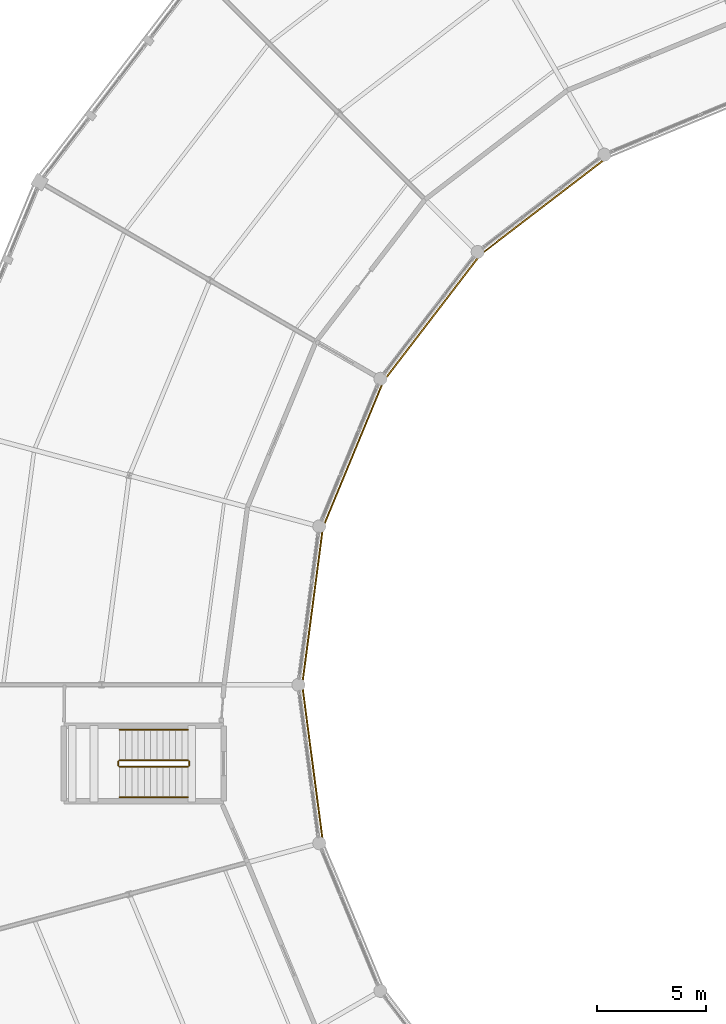
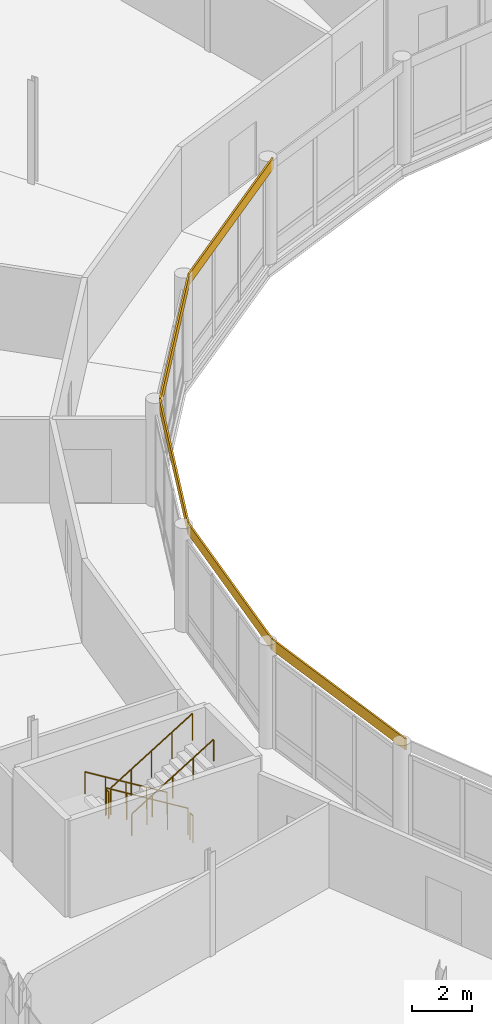
# One storey, part 178 of 185: 6 railings, 5 coverings.
"""IFC4 building model written with IfcOpenShell, lengths in metres."""

import ifcopenshell
import ifcopenshell.guid

model = None  # the IFC model being written
_history = None  # IfcOwnerHistory: only IFC2X3 demands one
_inside = {}  # id of a spatial element -> (the spatial element, [elements in it])
_under = {}  # id of a project, library or spatial element -> (it, [spatial elements below it])
_declared = {}  # id of a project -> (the project, [libraries it declares])
_typed = {}  # id of a type object -> (the type object, [elements of that type])
_made_of = {}  # id of a material, layer set ... -> (it, [elements and type objects made of it])


def new_model(schema):
    """Start an empty IFC model of exactly this schema.

    Asked for "IFC4X3", IfcOpenShell would pick the latest addendum, in which some entities
    have other attributes; the version numbers below select the first issue.
    IFC2X3 requires an IfcOwnerHistory on every rooted entity: one is made here for all.
    """
    global model, _history
    if schema == "IFC4X3":
        model = ifcopenshell.file(schema_version=(4, 3, 0, 0))
    else:
        model = ifcopenshell.file(schema=schema)
    _inside.clear()
    _under.clear()
    _declared.clear()
    _typed.clear()
    _made_of.clear()
    _history = None
    if model.schema == "IFC2X3":
        org = make("IfcOrganization", Name="unknown")
        user = make(
            "IfcPersonAndOrganization",
            ThePerson=make("IfcPerson", FamilyName="unknown"),
            TheOrganization=org,
        )
        app = make(
            "IfcApplication",
            ApplicationDeveloper=org,
            Version="unknown",
            ApplicationFullName="unknown",
            ApplicationIdentifier="unknown",
        )
        _history = make(
            "IfcOwnerHistory",
            OwningUser=user,
            OwningApplication=app,
            ChangeAction="ADDED",
            CreationDate=0,
        )
    return model


def make(cls, **values):
    """One entity of the class cls with the attributes given. An attribute that is None is left unset."""
    return model.create_entity(
        cls, **{name: value for name, value in values.items() if value is not None}
    )


def rooted(cls, **values):
    """An entity with a GlobalId (a new one), such as an element, a storey or a relation."""
    return make(cls, GlobalId=ifcopenshell.guid.new(), OwnerHistory=_history, **values)


def si_unit(unit_type, name, prefix=None):
    """IfcSIUnit, for example si_unit("LENGTHUNIT", "METRE", prefix="MILLI")."""
    return make("IfcSIUnit", UnitType=unit_type, Prefix=prefix, Name=name)


def assignment(units):
    """IfcUnitAssignment: the units of a project."""
    return None if units is None else make("IfcUnitAssignment", Units=units)


def point(xyz):
    """IfcCartesianPoint."""
    return None if xyz is None else make("IfcCartesianPoint", Coordinates=xyz)


def direction(xyz):
    """IfcDirection."""
    return None if xyz is None else make("IfcDirection", DirectionRatios=xyz)


def frame(location, z_axis=None, x_axis=None):
    """IfcAxis2Placement3D, a coordinate frame: its origin and axes. An axis left out is left unset."""
    return make(
        "IfcAxis2Placement3D",
        Location=point(location),
        Axis=direction(z_axis),
        RefDirection=direction(x_axis),
    )


def frame_2d(location, x_axis=None):
    """IfcAxis2Placement2D, a coordinate frame in the plane: its origin and x axis."""
    return make(
        "IfcAxis2Placement2D", Location=point(location), RefDirection=direction(x_axis)
    )


def origin():
    """The frame at (0, 0, 0) with its axes left unset."""
    return frame((0.0, 0.0, 0.0))


def origin_2d():
    """The frame at (0, 0) in the plane with its x axis left unset."""
    return frame_2d((0.0, 0.0))


def place(relative_to, where):
    """IfcLocalPlacement: puts the frame where relative to a parent placement (None: the world)."""
    return make(
        "IfcLocalPlacement", PlacementRelTo=relative_to, RelativePlacement=where
    )


def context(
    kind, dimensions, precision=None, world=None, true_north=None, identifier=None
):
    """IfcGeometricRepresentationContext, for example the 3D "Model" context."""
    return make(
        "IfcGeometricRepresentationContext",
        ContextIdentifier=identifier,
        ContextType=kind,
        CoordinateSpaceDimension=dimensions,
        Precision=precision,
        WorldCoordinateSystem=world,
        TrueNorth=true_north,
    )


def subcontext(parent, identifier, kind, view, scale=None):
    """IfcGeometricRepresentationSubContext, for example "Body" below "Model"."""
    return make(
        "IfcGeometricRepresentationSubContext",
        ContextIdentifier=identifier,
        ContextType=kind,
        ParentContext=parent,
        TargetScale=scale,
        TargetView=view,
    )


def project(units=None, contexts=None):
    """IfcProject with its units and contexts."""
    return rooted(
        "IfcProject",
        Name="project",
        RepresentationContexts=contexts,
        UnitsInContext=assignment(units),
    )


def spatial(cls, under=None, at=None, **own):
    """A site, building, storey or space (cls), placed at a placement, below another one or the project."""
    s = rooted(cls, ObjectPlacement=at, **own)
    if under is not None:
        _under.setdefault(under.id(), (under, []))[1].append(s)
    return s


def profile(cls, at=None, kind="AREA", **sizes):
    """A parametric profile (cls). Its sizes go by their IFC names, for example OverallWidth=200.0."""
    return make(cls, ProfileType=kind, Position=at, **sizes)


def rectangle(**sizes):
    """IfcRectangleProfileDef."""
    return profile("IfcRectangleProfileDef", **sizes)


def circle(**sizes):
    """IfcCircleProfileDef."""
    return profile("IfcCircleProfileDef", **sizes)


def extrude(swept, where, along, depth):
    """IfcExtrudedAreaSolid: the profile swept, set in the frame where, extruded along a direction by depth."""
    return make(
        "IfcExtrudedAreaSolid",
        SweptArea=swept,
        Position=where,
        ExtrudedDirection=direction(along),
        Depth=depth,
    )


def shape(context_of_items, identifier, shape_type, items):
    """IfcShapeRepresentation: the items that make up one representation, for example the "Body"."""
    return make(
        "IfcShapeRepresentation",
        ContextOfItems=context_of_items,
        RepresentationIdentifier=identifier,
        RepresentationType=shape_type,
        Items=items,
    )


def material(Name=None, Category=None):
    """IfcMaterial."""
    return make("IfcMaterial", Name=Name, Category=Category)


def layer(
    of_material, thickness, ventilated=None, Name=None, Category=None, Priority=None
):
    """IfcMaterialLayer: one layer of a wall or slab, of a material (None: an air gap)."""
    return make(
        "IfcMaterialLayer",
        Material=of_material,
        LayerThickness=thickness,
        IsVentilated=ventilated,
        Name=Name,
        Category=Category,
        Priority=Priority,
    )


def layer_set(layers, Name=None):
    """IfcMaterialLayerSet."""
    return make("IfcMaterialLayerSet", MaterialLayers=layers, LayerSetName=Name)


def made_of(thing, what):
    """Note that an element or type object is made of a material, layer set ...; save() writes the relation."""
    if what is not None:
        _made_of.setdefault(what.id(), (what, []))[1].append(thing)
    return thing


def type_object(cls, material=None, **own):
    """A type object (cls), such as IfcWallType, which elements share."""
    return made_of(rooted(cls, **own), material)


def element(
    cls,
    number,
    at=None,
    inside=None,
    cuts=None,
    type_object=None,
    material=None,
    context=None,
    identifier="Body",
    shape_type=None,
    held_by="IfcProductDefinitionShape",
    body=None,
    shapes=None,
    **own,
):
    """One element of the class cls, such as IfcWall. Its Tag is "e" and its number.

    at: its placement. inside: the storey or other place that contains it. cuts: it is an
    opening in that element (IfcRelVoidsElement). A single representation is given by context,
    identifier, shape_type and body (its items); several are given by shapes. held_by: the class
    of the entity that holds the representations. save() writes the other relations.
    """
    e = rooted(cls, Tag="e%d" % number, ObjectPlacement=at, **own)
    if body is not None:
        shapes = [shape(context, identifier, shape_type, body)]
    if shapes is not None:
        e.Representation = make(held_by, Representations=shapes)
    if inside is not None:
        _inside.setdefault(inside.id(), (inside, []))[1].append(e)
    if cuts is not None:
        rooted(
            "IfcRelVoidsElement", RelatingBuildingElement=cuts, RelatedOpeningElement=e
        )
    if type_object is not None:
        _typed.setdefault(type_object.id(), (type_object, []))[1].append(e)
    return made_of(e, material)


def aggregate(whole, parts):
    """IfcRelAggregates: a whole, such as a stair, and the parts it consists of."""
    return rooted("IfcRelAggregates", RelatingObject=whole, RelatedObjects=parts)


def save(model, path):
    """Write the relations noted so far, then the file.

    IfcRelAggregates (storeys below a building ...), IfcRelContainedInSpatialStructure (elements
    in a storey), IfcRelDefinesByType, IfcRelAssociatesMaterial and IfcRelDeclares: one each for
    every whole, place, type object, material and project.
    """
    for whole, parts in _under.values():
        aggregate(whole, parts)
    for where, things in _inside.values():
        rooted(
            "IfcRelContainedInSpatialStructure",
            RelatedElements=things,
            RelatingStructure=where,
        )
    for kind, things in _typed.values():
        rooted("IfcRelDefinesByType", RelatedObjects=things, RelatingType=kind)
    for what, things in _made_of.values():
        rooted("IfcRelAssociatesMaterial", RelatedObjects=things, RelatingMaterial=what)
    for by, libraries in _declared.values():
        rooted("IfcRelDeclares", RelatingContext=by, RelatedDefinitions=libraries)
    model.write(path)


model = new_model("IFC4")

# Units and contexts
model_context = context("Model", 3, precision=1e-05, world=origin(), true_north=direction((0.0, 1.0)))
body_context = subcontext(model_context, "Body", "Model", "MODEL_VIEW")
ifc_project = project(units=[si_unit("LENGTHUNIT", "METRE"), si_unit("AREAUNIT", "SQUARE_METRE"), si_unit("VOLUMEUNIT", "CUBIC_METRE"), si_unit("PLANEANGLEUNIT", "RADIAN"), si_unit("MASSUNIT", "GRAM", prefix="KILO")], contexts=[model_context])

# Site, building, storey
site_placement = place(None, origin())
site = spatial("IfcSite", under=ifc_project, at=site_placement, CompositionType="ELEMENT")
building_placement = place(site_placement, origin())
building = spatial("IfcBuilding", under=site, at=building_placement, Name="Vondelvale Polytechnic", CompositionType="ELEMENT")
storey_placement = place(building_placement, frame((0.0, 0.0, 9.60009765625)))
storey = spatial("IfcBuildingStorey", under=building, at=storey_placement, Name="L02", CompositionType="ELEMENT", Elevation=9.60009765625)

# Coverings
ifc_material_1 = material(Name="Engineered Tasmanian oak studio and bridge joinery")
ifc_layer_1 = layer(ifc_material_1, 0.06494140625)
ifc_layer_set_1 = layer_set([ifc_layer_1], Name="COV-OAK-SPANDREL")
covering_type = type_object("IfcCoveringType", Name="COV-OAK-SPANDREL", PredefinedType="CLADDING", material=ifc_layer_set_1)
for number, where, z_axis, x_axis, name in (
    (1, (85.20458984375, 93.88818359375, 3.75), (0.0, 0.0, 1.0), (-0.793353340291, -0.608761429009, 0.0), "L02 exterior masonry spandrel band"),
    (2, (80.11181640625, 88.79541015625, 3.75), (0.0, 0.0, 1.0), (-0.608761429009, -0.793353340291, 0.0), "L02 exterior masonry spandrel band"),
    (3, (76.5107421875, 82.55810546875, 3.75), (0.0, 0.0, 1.0), (-0.382683432365, -0.923879532511, 0.0), "L02 exterior masonry spandrel band"),
):
    element("IfcCovering", number, at=place(storey_placement, frame(where, z_axis=z_axis, x_axis=x_axis)), inside=storey, type_object=covering_type, Name=name, PredefinedType="CLADDING", context=body_context, shape_type="SweptSolid", body=[
        extrude(rectangle(XDim=7.3095703125, YDim=0.06494140625, at=origin_2d()), origin(), (0.0, 0.0, 1.0), 0.449951171875),
    ])
for number, where, z_axis, x_axis, name in (
    (4, (74.646484375, 75.60107421875, 3.75), (0.0, 0.0, 1.0), (-0.13052619222, -0.991444861374, 0.0), "L02 exterior masonry spandrel band"),
    (5, (74.646484375, 68.39892578125, 3.75), (0.0, 0.0, 1.0), (0.13052619222, -0.991444861374, 0.0), "L02 exterior masonry spandrel band"),
):
    element("IfcCovering", number, at=place(storey_placement, frame(where, z_axis=z_axis, x_axis=x_axis)), inside=storey, type_object=covering_type, Name=name, PredefinedType="CLADDING", context=body_context, shape_type="SweptSolid", body=[
        extrude(rectangle(XDim=7.309326171875, YDim=0.06494140625, at=origin_2d()), origin(), (0.0, 0.0, 1.0), 0.449951171875),
    ])

# Railings
ifc_material_2 = material(Name="Brushed architectural stainless and zinc-coated metal")
ifc_layer_2 = layer(ifc_material_2, 0.050048828125)
ifc_layer_set_2 = layer_set([ifc_layer_2], Name="RL-STAIR-GUARD")
railing_type_1 = type_object("IfcRailingType", Name="RL-STAIR-GUARD", PredefinedType="GUARDRAIL", material=ifc_layer_set_2)
railing_1_placement = place(storey_placement, frame((68.949951171875, 68.550048828125, 0.1748046875)))
element("IfcRailing", 6, at=railing_1_placement, inside=storey, type_object=railing_type_1, Name="L02 ST-10 stair guard 1", PredefinedType="GUARDRAIL", context=body_context, shape_type="SweptSolid", body=[
    extrude(circle(Radius=0.02392578125, at=origin_2d()), frame((0.0, 0.0, 1.076171875), z_axis=(-0.852166034122, 0.0, 0.523271488128), x_axis=(0.0, -1.0, 0.0)), (0.0, 0.0, 1.0), 3.678955078125),
    extrude(circle(Radius=0.02099609375, at=origin_2d()), origin(), (0.0, 0.0, 1.0), 1.052001953125),
    extrude(circle(Radius=0.02099609375, at=origin_2d()), frame((-0.78369140625, 0.0, 0.481201171875)), (0.0, 0.0, 1.0), 1.052001953125),
    extrude(circle(Radius=0.02099609375, at=origin_2d()), frame((-1.5673828125, 0.0, 0.96240234375)), (0.0, 0.0, 1.0), 1.052001953125),
    extrude(circle(Radius=0.02099609375, at=origin_2d()), frame((-2.351318359375, 0.0, 1.44384765625)), (0.0, 0.0, 1.0), 1.052001953125),
    extrude(circle(Radius=0.02099609375, at=origin_2d()), frame((-3.135009765625, 0.0, 1.925048828125)), (0.0, 0.0, 1.0), 1.052001953125),
])
railing_2_placement = place(storey_placement, frame((65.764892578125, 68.5, 2.099853515625)))
element("IfcRailing", 7, at=railing_2_placement, inside=storey, type_object=railing_type_1, Name="L02 ST-10 stair guard 2", PredefinedType="GUARDRAIL", context=body_context, shape_type="SweptSolid", body=[
    extrude(circle(Radius=0.02392578125, at=origin_2d()), frame((0.0, 0.0, 1.076171875), z_axis=(0.0, -1.0, 0.0), x_axis=(1.0, 0.0, 0.0)), (0.0, 0.0, 1.0), 0.199951171875),
    extrude(circle(Radius=0.02099609375, at=origin_2d()), origin(), (0.0, 0.0, 1.0), 1.052001953125),
    extrude(circle(Radius=0.02099609375, at=origin_2d()), frame((0.0, -0.199951171875, 0.0)), (0.0, 0.0, 1.0), 1.052001953125),
])
railing_3_placement = place(storey_placement, frame((65.81494140625, 68.25, 2.27490234375)))
element("IfcRailing", 8, at=railing_3_placement, inside=storey, type_object=railing_type_1, Name="L02 ST-10 stair guard 3", PredefinedType="GUARDRAIL", context=body_context, shape_type="SweptSolid", body=[
    extrude(circle(Radius=0.02392578125, at=origin_2d()), frame((0.0, 0.0, 1.076171875), z_axis=(0.852166034122, 0.0, 0.523271488128), x_axis=(0.0, 1.0, 0.0)), (0.0, 0.0, 1.0), 3.678955078125),
    extrude(circle(Radius=0.02099609375, at=origin_2d()), origin(), (0.0, 0.0, 1.0), 1.052001953125),
    extrude(circle(Radius=0.02099609375, at=origin_2d()), frame((0.78369140625, 0.0, 0.481201171875)), (0.0, 0.0, 1.0), 1.052001953125),
    extrude(circle(Radius=0.02099609375, at=origin_2d()), frame((1.5673828125, 0.0, 0.96240234375)), (0.0, 0.0, 1.0), 1.052001953125),
    extrude(circle(Radius=0.02099609375, at=origin_2d()), frame((2.351318359375, 0.0, 1.44384765625)), (0.0, 0.0, 1.0), 1.052001953125),
    extrude(circle(Radius=0.02099609375, at=origin_2d()), frame((3.135009765625, 0.0, 1.925048828125)), (0.0, 0.0, 1.0), 1.052001953125),
])
railing_4_placement = place(storey_placement, frame((69.0, 68.5, 0.0)))
element("IfcRailing", 9, at=railing_4_placement, inside=storey, type_object=railing_type_1, Name="L02 ST-10 stair guard 4", PredefinedType="GUARDRAIL", context=body_context, shape_type="SweptSolid", body=[
    extrude(circle(Radius=0.02392578125, at=origin_2d()), frame((0.0, 0.0, 1.076171875), z_axis=(0.0, -1.0, 0.0), x_axis=(1.0, 0.0, 0.0)), (0.0, 0.0, 1.0), 0.199951171875),
    extrude(circle(Radius=0.02099609375, at=origin_2d()), origin(), (0.0, 0.0, 1.0), 1.052001953125),
    extrude(circle(Radius=0.02099609375, at=origin_2d()), frame((0.0, -0.199951171875, 0.0)), (0.0, 0.0, 1.0), 1.052001953125),
])
ifc_layer_3 = layer(ifc_material_2, 0.048095703125)
ifc_layer_set_3 = layer_set([ifc_layer_3], Name="RL-STAIR-HANDRAIL")
railing_type_2 = type_object("IfcRailingType", Name="RL-STAIR-HANDRAIL", PredefinedType="HANDRAIL", material=ifc_layer_set_3)
railing_5_placement = place(storey_placement, frame((68.949951171875, 69.949951171875, 0.1748046875)))
element("IfcRailing", 10, at=railing_5_placement, inside=storey, type_object=railing_type_2, Name="L02 ST-10 stair handrail 1", PredefinedType="HANDRAIL", context=body_context, shape_type="SweptSolid", body=[
    extrude(circle(Radius=0.02392578125, at=origin_2d()), frame((0.0, 0.0, 0.8759765625), z_axis=(-0.852166034122, 0.0, 0.523271488128), x_axis=(0.0, -1.0, 0.0)), (0.0, 0.0, 1.0), 3.678955078125),
    extrude(circle(Radius=0.02099609375, at=origin_2d()), origin(), (0.0, 0.0, 1.0), 0.851806640625),
    extrude(circle(Radius=0.02099609375, at=origin_2d()), frame((-0.78369140625, 0.0, 0.481201171875)), (0.0, 0.0, 1.0), 0.851806640625),
    extrude(circle(Radius=0.02099609375, at=origin_2d()), frame((-1.5673828125, 0.0, 0.96240234375)), (0.0, 0.0, 1.0), 0.851806640625),
    extrude(circle(Radius=0.02099609375, at=origin_2d()), frame((-2.351318359375, 0.0, 1.44384765625)), (0.0, 0.0, 1.0), 0.851806640625),
    extrude(circle(Radius=0.02099609375, at=origin_2d()), frame((-3.135009765625, 0.0, 1.925048828125)), (0.0, 0.0, 1.0), 0.851806640625),
])
railing_6_placement = place(storey_placement, frame((65.81494140625, 66.85009765625, 2.27490234375)))
element("IfcRailing", 11, at=railing_6_placement, inside=storey, type_object=railing_type_2, Name="L02 ST-10 stair handrail 2", PredefinedType="HANDRAIL", context=body_context, shape_type="SweptSolid", body=[
    extrude(circle(Radius=0.02392578125, at=origin_2d()), frame((0.0, 0.0, 0.8759765625), z_axis=(0.852166034122, 0.0, 0.523271488128), x_axis=(0.0, 1.0, 0.0)), (0.0, 0.0, 1.0), 3.678955078125),
    extrude(circle(Radius=0.02099609375, at=origin_2d()), origin(), (0.0, 0.0, 1.0), 0.851806640625),
    extrude(circle(Radius=0.02099609375, at=origin_2d()), frame((0.78369140625, 0.0, 0.481201171875)), (0.0, 0.0, 1.0), 0.851806640625),
    extrude(circle(Radius=0.02099609375, at=origin_2d()), frame((1.5673828125, 0.0, 0.96240234375)), (0.0, 0.0, 1.0), 0.851806640625),
    extrude(circle(Radius=0.02099609375, at=origin_2d()), frame((2.351318359375, 0.0, 1.44384765625)), (0.0, 0.0, 1.0), 0.851806640625),
    extrude(circle(Radius=0.02099609375, at=origin_2d()), frame((3.135009765625, 0.0, 1.925048828125)), (0.0, 0.0, 1.0), 0.851806640625),
])

save(model, "model.ifc")
